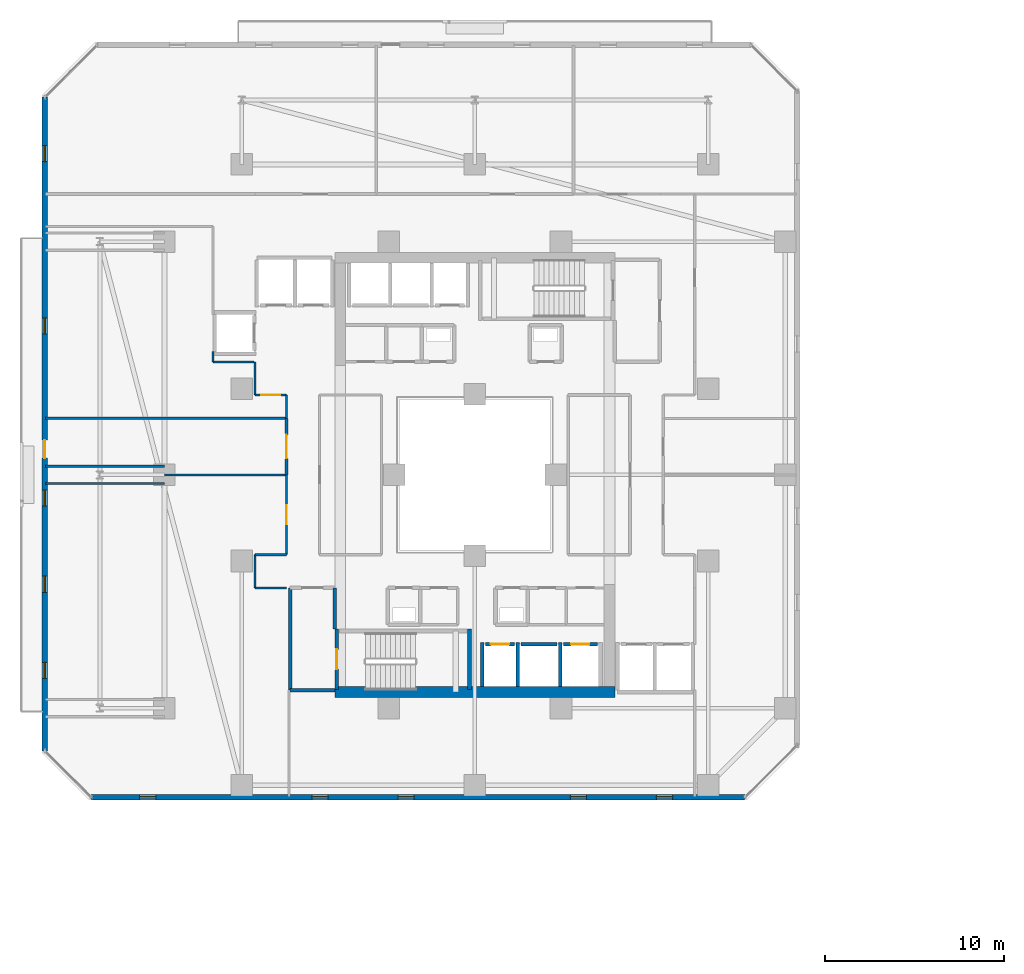
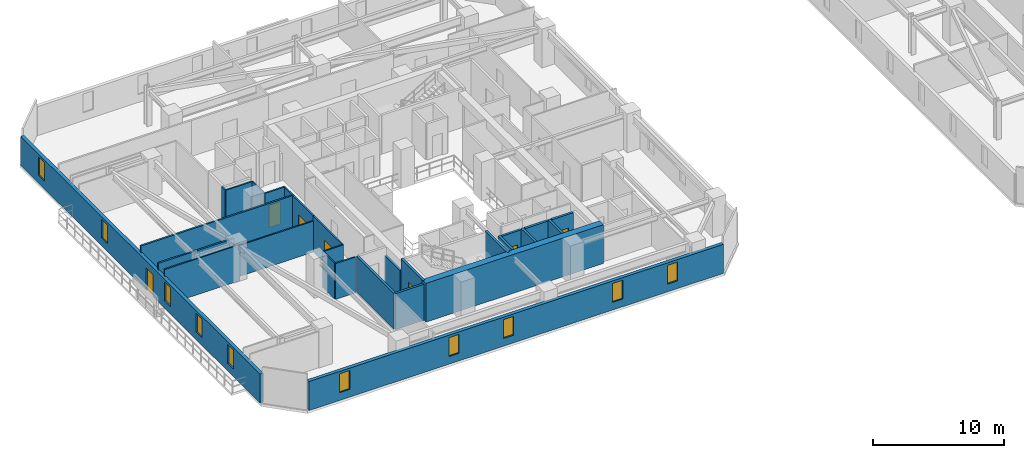
# One storey, part 19 of 33: 28 walls, 10 windows, 7 doors, 17 openings.
"""IFC4 building model written with IfcOpenShell, lengths in metres."""

import ifcopenshell
import ifcopenshell.guid

model = None  # the IFC model being written
_history = None  # IfcOwnerHistory: only IFC2X3 demands one
_inside = {}  # id of a spatial element -> (the spatial element, [elements in it])
_under = {}  # id of a project, library or spatial element -> (it, [spatial elements below it])
_declared = {}  # id of a project -> (the project, [libraries it declares])
_typed = {}  # id of a type object -> (the type object, [elements of that type])
_made_of = {}  # id of a material, layer set ... -> (it, [elements and type objects made of it])


def new_model(schema):
    """Start an empty IFC model of exactly this schema.

    Asked for "IFC4X3", IfcOpenShell would pick the latest addendum, in which some entities
    have other attributes; the version numbers below select the first issue.
    IFC2X3 requires an IfcOwnerHistory on every rooted entity: one is made here for all.
    """
    global model, _history
    if schema == "IFC4X3":
        model = ifcopenshell.file(schema_version=(4, 3, 0, 0))
    else:
        model = ifcopenshell.file(schema=schema)
    _inside.clear()
    _under.clear()
    _declared.clear()
    _typed.clear()
    _made_of.clear()
    _history = None
    if model.schema == "IFC2X3":
        org = make("IfcOrganization", Name="unknown")
        user = make(
            "IfcPersonAndOrganization",
            ThePerson=make("IfcPerson", FamilyName="unknown"),
            TheOrganization=org,
        )
        app = make(
            "IfcApplication",
            ApplicationDeveloper=org,
            Version="unknown",
            ApplicationFullName="unknown",
            ApplicationIdentifier="unknown",
        )
        _history = make(
            "IfcOwnerHistory",
            OwningUser=user,
            OwningApplication=app,
            ChangeAction="ADDED",
            CreationDate=0,
        )
    return model


def make(cls, **values):
    """One entity of the class cls with the attributes given. An attribute that is None is left unset."""
    return model.create_entity(
        cls, **{name: value for name, value in values.items() if value is not None}
    )


def rooted(cls, **values):
    """An entity with a GlobalId (a new one), such as an element, a storey or a relation."""
    return make(cls, GlobalId=ifcopenshell.guid.new(), OwnerHistory=_history, **values)


def si_unit(unit_type, name, prefix=None):
    """IfcSIUnit, for example si_unit("LENGTHUNIT", "METRE", prefix="MILLI")."""
    return make("IfcSIUnit", UnitType=unit_type, Prefix=prefix, Name=name)


def assignment(units):
    """IfcUnitAssignment: the units of a project."""
    return None if units is None else make("IfcUnitAssignment", Units=units)


def point(xyz):
    """IfcCartesianPoint."""
    return None if xyz is None else make("IfcCartesianPoint", Coordinates=xyz)


def direction(xyz):
    """IfcDirection."""
    return None if xyz is None else make("IfcDirection", DirectionRatios=xyz)


def frame(location, z_axis=None, x_axis=None):
    """IfcAxis2Placement3D, a coordinate frame: its origin and axes. An axis left out is left unset."""
    return make(
        "IfcAxis2Placement3D",
        Location=point(location),
        Axis=direction(z_axis),
        RefDirection=direction(x_axis),
    )


def frame_2d(location, x_axis=None):
    """IfcAxis2Placement2D, a coordinate frame in the plane: its origin and x axis."""
    return make(
        "IfcAxis2Placement2D", Location=point(location), RefDirection=direction(x_axis)
    )


def origin():
    """The frame at (0, 0, 0) with its axes left unset."""
    return frame((0.0, 0.0, 0.0))


def place(relative_to, where):
    """IfcLocalPlacement: puts the frame where relative to a parent placement (None: the world)."""
    return make(
        "IfcLocalPlacement", PlacementRelTo=relative_to, RelativePlacement=where
    )


def context(
    kind, dimensions, precision=None, world=None, true_north=None, identifier=None
):
    """IfcGeometricRepresentationContext, for example the 3D "Model" context."""
    return make(
        "IfcGeometricRepresentationContext",
        ContextIdentifier=identifier,
        ContextType=kind,
        CoordinateSpaceDimension=dimensions,
        Precision=precision,
        WorldCoordinateSystem=world,
        TrueNorth=true_north,
    )


def subcontext(parent, identifier, kind, view, scale=None):
    """IfcGeometricRepresentationSubContext, for example "Body" below "Model"."""
    return make(
        "IfcGeometricRepresentationSubContext",
        ContextIdentifier=identifier,
        ContextType=kind,
        ParentContext=parent,
        TargetScale=scale,
        TargetView=view,
    )


def project(units=None, contexts=None):
    """IfcProject with its units and contexts."""
    return rooted(
        "IfcProject",
        Name="project",
        RepresentationContexts=contexts,
        UnitsInContext=assignment(units),
    )


def spatial(cls, under=None, at=None, **own):
    """A site, building, storey or space (cls), placed at a placement, below another one or the project."""
    s = rooted(cls, ObjectPlacement=at, **own)
    if under is not None:
        _under.setdefault(under.id(), (under, []))[1].append(s)
    return s


def profile(cls, at=None, kind="AREA", **sizes):
    """A parametric profile (cls). Its sizes go by their IFC names, for example OverallWidth=200.0."""
    return make(cls, ProfileType=kind, Position=at, **sizes)


def rectangle(**sizes):
    """IfcRectangleProfileDef."""
    return profile("IfcRectangleProfileDef", **sizes)


def extrude(swept, where, along, depth):
    """IfcExtrudedAreaSolid: the profile swept, set in the frame where, extruded along a direction by depth."""
    return make(
        "IfcExtrudedAreaSolid",
        SweptArea=swept,
        Position=where,
        ExtrudedDirection=direction(along),
        Depth=depth,
    )


def shape(context_of_items, identifier, shape_type, items):
    """IfcShapeRepresentation: the items that make up one representation, for example the "Body"."""
    return make(
        "IfcShapeRepresentation",
        ContextOfItems=context_of_items,
        RepresentationIdentifier=identifier,
        RepresentationType=shape_type,
        Items=items,
    )


def material(Name=None, Category=None):
    """IfcMaterial."""
    return make("IfcMaterial", Name=Name, Category=Category)


def layer(
    of_material, thickness, ventilated=None, Name=None, Category=None, Priority=None
):
    """IfcMaterialLayer: one layer of a wall or slab, of a material (None: an air gap)."""
    return make(
        "IfcMaterialLayer",
        Material=of_material,
        LayerThickness=thickness,
        IsVentilated=ventilated,
        Name=Name,
        Category=Category,
        Priority=Priority,
    )


def layer_set(layers, Name=None):
    """IfcMaterialLayerSet."""
    return make("IfcMaterialLayerSet", MaterialLayers=layers, LayerSetName=Name)


def made_of(thing, what):
    """Note that an element or type object is made of a material, layer set ...; save() writes the relation."""
    if what is not None:
        _made_of.setdefault(what.id(), (what, []))[1].append(thing)
    return thing


def type_object(cls, material=None, **own):
    """A type object (cls), such as IfcWallType, which elements share."""
    return made_of(rooted(cls, **own), material)


def element(
    cls,
    number,
    at=None,
    inside=None,
    cuts=None,
    type_object=None,
    material=None,
    context=None,
    identifier="Body",
    shape_type=None,
    held_by="IfcProductDefinitionShape",
    body=None,
    shapes=None,
    **own,
):
    """One element of the class cls, such as IfcWall. Its Tag is "e" and its number.

    at: its placement. inside: the storey or other place that contains it. cuts: it is an
    opening in that element (IfcRelVoidsElement). A single representation is given by context,
    identifier, shape_type and body (its items); several are given by shapes. held_by: the class
    of the entity that holds the representations. save() writes the other relations.
    """
    e = rooted(cls, Tag="e%d" % number, ObjectPlacement=at, **own)
    if body is not None:
        shapes = [shape(context, identifier, shape_type, body)]
    if shapes is not None:
        e.Representation = make(held_by, Representations=shapes)
    if inside is not None:
        _inside.setdefault(inside.id(), (inside, []))[1].append(e)
    if cuts is not None:
        rooted(
            "IfcRelVoidsElement", RelatingBuildingElement=cuts, RelatedOpeningElement=e
        )
    if type_object is not None:
        _typed.setdefault(type_object.id(), (type_object, []))[1].append(e)
    return made_of(e, material)


def fill(opening, filler):
    """IfcRelFillsElement: the door or window that sits in an opening."""
    return rooted(
        "IfcRelFillsElement",
        RelatingOpeningElement=opening,
        RelatedBuildingElement=filler,
    )


def aggregate(whole, parts):
    """IfcRelAggregates: a whole, such as a stair, and the parts it consists of."""
    return rooted("IfcRelAggregates", RelatingObject=whole, RelatedObjects=parts)


def save(model, path):
    """Write the relations noted so far, then the file.

    IfcRelAggregates (storeys below a building ...), IfcRelContainedInSpatialStructure (elements
    in a storey), IfcRelDefinesByType, IfcRelAssociatesMaterial and IfcRelDeclares: one each for
    every whole, place, type object, material and project.
    """
    for whole, parts in _under.values():
        aggregate(whole, parts)
    for where, things in _inside.values():
        rooted(
            "IfcRelContainedInSpatialStructure",
            RelatedElements=things,
            RelatingStructure=where,
        )
    for kind, things in _typed.values():
        rooted("IfcRelDefinesByType", RelatedObjects=things, RelatingType=kind)
    for what, things in _made_of.values():
        rooted("IfcRelAssociatesMaterial", RelatedObjects=things, RelatingMaterial=what)
    for by, libraries in _declared.values():
        rooted("IfcRelDeclares", RelatingContext=by, RelatedDefinitions=libraries)
    model.write(path)


model = new_model("IFC4")

# Units and contexts
model_context = context("Model", 3, precision=1e-05, world=origin(), true_north=direction((0.0, 1.0)))
body_context = subcontext(model_context, "Body", "Model", "MODEL_VIEW")
ifc_project = project(units=[si_unit("LENGTHUNIT", "METRE"), si_unit("AREAUNIT", "SQUARE_METRE"), si_unit("VOLUMEUNIT", "CUBIC_METRE"), si_unit("PLANEANGLEUNIT", "RADIAN"), si_unit("MASSUNIT", "GRAM", prefix="KILO")], contexts=[model_context])

# Site, building, storey
site_placement = place(None, origin())
site = spatial("IfcSite", under=ifc_project, at=site_placement, CompositionType="ELEMENT")
building_placement = place(site_placement, origin())
building = spatial("IfcBuilding", under=site, at=building_placement, Name="Thornwick Lancets Civic Towers", CompositionType="ELEMENT")
storey_placement = place(building_placement, frame((0.0, 0.0, 112.5)))
storey = spatial("IfcBuildingStorey", under=building, at=storey_placement, Name="L29", CompositionType="ELEMENT", Elevation=112.5)

# Wall, opening, door
ifc_material_1 = material(Name="Concrete blockwork C40/50", Category="masonry")
ifc_layer_1 = layer(ifc_material_1, 0.199951171875, Name="Concrete blockwork C40/50")
ifc_layer_set_1 = layer_set([ifc_layer_1], Name="Concrete blockwork C40/50")
wall_type_1 = type_object("IfcWallType", Name="WALL_COMP_200", PredefinedType="STANDARD", material=ifc_layer_set_1)
wall_1_placement = place(storey_placement, frame((26.080078125, 17.550048828125, 0.0), z_axis=(0.0, 0.0, 1.0), x_axis=(1.0, 0.0, 0.0)))
wall_1 = element("IfcWall", 1, at=wall_1_placement, inside=storey, type_object=wall_type_1, Name="L29 Hoistway Front Wall FL-A1", PredefinedType="STANDARD", context=body_context, shape_type="SweptSolid", body=[
    extrude(rectangle(XDim=1.639892578125, YDim=0.199951171875, at=frame_2d((0.81982421875, 0.0))), origin(), (0.0, 0.0, 1.0), 3.340087890625),
])
opening_1_placement = place(wall_1_placement, frame((0.31005859375, 0.0, 0.0)))
opening_1 = element("IfcOpeningElement", 2, at=opening_1_placement, cuts=wall_1, Name="Opening LD-FL-A1", PredefinedType="OPENING", context=body_context, shape_type="SweptSolid", body=[
    extrude(rectangle(XDim=1.02001953125, YDim=2.06005859375, at=frame_2d((0.510009765625, 1.030029296875))), frame((0.0, 0.10986328125, 0.0), z_axis=(0.0, -1.0, 0.0), x_axis=(1.0, 0.0, 0.0)), (0.0, 0.0, 1.0), 0.219970703125),
])
ifc_material_2 = material(Name="Brushed bronze stainless steel", Category="steel")
door_type_1 = type_object("IfcDoorType", Name="DOOR_LIFT_SLIDE", OperationType="SLIDING_TO_LEFT", PredefinedType="DOOR", material=ifc_material_2)
door_1_placement = place(opening_1_placement, origin())
door_1 = element("IfcDoor", 3, at=door_1_placement, inside=storey, type_object=door_type_1, Name="L29 Sliding Lift Landing Door LD-FL-A1", OperationType="SLIDING_TO_LEFT", OverallHeight=2.06005859375, OverallWidth=1.02001953125, PredefinedType="DOOR", context=body_context, shape_type="SweptSolid", body=[
    extrude(rectangle(XDim=1.02001953125, YDim=2.06005859375, at=frame_2d((0.510009765625, 1.030029296875))), frame((0.0, 0.02490234375, 0.0), z_axis=(0.0, -1.0, 0.0), x_axis=(1.0, 0.0, 0.0)), (0.0, 0.0, 1.0), 0.050048828125),
])
fill(opening_1, door_1)

# Wall
wall_2_placement = place(storey_placement, frame((28.080078125, 17.550048828125, 0.0), z_axis=(0.0, 0.0, 1.0), x_axis=(1.0, 0.0, 0.0)))
element("IfcWall", 4, at=wall_2_placement, inside=storey, type_object=wall_type_1, Name="L29 Hoistway Front Wall PL-AH1", PredefinedType="STANDARD", context=body_context, shape_type="SweptSolid", body=[
    extrude(rectangle(XDim=1.989990234375, YDim=0.199951171875, at=frame_2d((0.9951171875, 0.0))), origin(), (0.0, 0.0, 1.0), 3.340087890625),
])

# Wall, opening, door
wall_3_placement = place(storey_placement, frame((30.429931640625, 17.550048828125, 0.0), z_axis=(0.0, 0.0, 1.0), x_axis=(1.0, 0.0, 0.0)))
wall_3 = element("IfcWall", 5, at=wall_3_placement, inside=storey, type_object=wall_type_1, Name="L29 Hoistway Front Wall PL-AL1", PredefinedType="STANDARD", context=body_context, shape_type="SweptSolid", body=[
    extrude(rectangle(XDim=1.89013671875, YDim=0.199951171875, at=frame_2d((0.945068359375, 0.0))), origin(), (0.0, 0.0, 1.0), 3.340087890625),
])
opening_2_placement = place(wall_3_placement, frame((0.43505859375, 0.0, 0.0)))
opening_2 = element("IfcOpeningElement", 6, at=opening_2_placement, cuts=wall_3, Name="Opening LD-PL-AL1", PredefinedType="OPENING", context=body_context, shape_type="SweptSolid", body=[
    extrude(rectangle(XDim=1.02001953125, YDim=2.06005859375, at=frame_2d((0.510009765625, 1.030029296875))), frame((0.0, 0.10986328125, 0.0), z_axis=(0.0, -1.0, 0.0), x_axis=(1.0, 0.0, 0.0)), (0.0, 0.0, 1.0), 0.219970703125),
])
door_2_placement = place(opening_2_placement, origin())
door_2 = element("IfcDoor", 7, at=door_2_placement, inside=storey, type_object=door_type_1, Name="L29 Sliding Lift Landing Door LD-PL-AL1", OperationType="SLIDING_TO_LEFT", OverallHeight=2.06005859375, OverallWidth=1.02001953125, PredefinedType="DOOR", context=body_context, shape_type="SweptSolid", body=[
    extrude(rectangle(XDim=1.02001953125, YDim=2.06005859375, at=frame_2d((0.510009765625, 1.030029296875))), frame((0.0, 0.02490234375, 0.0), z_axis=(0.0, -1.0, 0.0), x_axis=(1.0, 0.0, 0.0)), (0.0, 0.0, 1.0), 0.050048828125),
])
fill(opening_2, door_2)

# Walls
for number, where, z_axis, x_axis, name in (
    (8, (27.89990234375, 15.2119140625, 0.0), (0.0, 0.0, 1.0), (0.0, 1.0, 0.0), "L29 Hoistway Shaft Wall FL-A1 E"),
    (9, (25.89990234375, 15.2119140625, 0.0), (0.0, 0.0, 1.0), (0.0, 1.0, 0.0), "L29 Hoistway Shaft Wall FL-A1 W"),
    (10, (30.25, 15.2119140625, 0.0), (0.0, 0.0, 1.0), (0.0, 1.0, 0.0), "L29 Hoistway Shaft Wall PL-AH1 E"),
):
    element("IfcWall", number, at=place(storey_placement, frame(where, z_axis=z_axis, x_axis=x_axis)), inside=storey, type_object=wall_type_1, Name=name, PredefinedType="STANDARD", context=body_context, shape_type="SweptSolid", body=[
        extrude(rectangle(XDim=2.43603515625, YDim=0.199951171875, at=frame_2d((1.218017578125, 0.0))), origin(), (0.0, 0.0, 1.0), 3.340087890625),
    ])
wall_4_placement = place(storey_placement, frame((15.199951171875, 15.0, 0.0), z_axis=(0.0, 0.0, 1.0), x_axis=(1.0, 0.0, 0.0)))
element("IfcWall", 11, at=wall_4_placement, inside=storey, type_object=wall_type_1, Name="L29 Partition L29-A-FFLOB1 E1", PredefinedType="STANDARD", context=body_context, shape_type="SweptSolid", body=[
    extrude(rectangle(XDim=2.5, YDim=0.199951171875, at=frame_2d((1.25, 0.0))), origin(), (0.0, 0.0, 1.0), 3.340087890625),
])
wall_5_placement = place(storey_placement, frame((17.699951171875, 18.39990234375, 0.0), z_axis=(0.0, 0.0, 1.0), x_axis=(0.0, 1.0, 0.0)))
element("IfcWall", 12, at=wall_5_placement, inside=storey, type_object=wall_type_1, Name="L29 Partition L29-A-FFLOB1 E2", PredefinedType="STANDARD", context=body_context, shape_type="SweptSolid", body=[
    extrude(rectangle(XDim=2.300048828125, YDim=0.199951171875, at=frame_2d((1.14990234375, 0.0))), origin(), (0.0, 0.0, 1.0), 2.544921875),
])
wall_6_placement = place(storey_placement, frame((15.199951171875, 20.699951171875, 0.0), z_axis=(0.0, 0.0, 1.0), x_axis=(0.0, -1.0, 0.0)))
element("IfcWall", 13, at=wall_6_placement, inside=storey, type_object=wall_type_1, Name="L29 Partition L29-A-FFLOB1 E4", PredefinedType="STANDARD", context=body_context, shape_type="SweptSolid", body=[
    extrude(rectangle(XDim=5.699951171875, YDim=0.199951171875, at=frame_2d((2.85009765625, 0.0))), origin(), (0.0, 0.0, 1.0), 3.340087890625),
])
ifc_material_3 = material(Name="Concrete C60/75", Category="concrete")
ifc_layer_2 = layer(ifc_material_3, 0.60009765625, Name="Concrete C60/75")
ifc_layer_set_2 = layer_set([ifc_layer_2], Name="Concrete C60/75")
wall_type_2 = type_object("IfcWallType", Name="WALL_CORE_600", PredefinedType="SHEAR", material=ifc_layer_set_2)
wall_7_placement = place(storey_placement, frame((17.699951171875, 14.89990234375, 0.0), z_axis=(0.0, 0.0, 1.0), x_axis=(1.0, 0.0, 0.0)))
element("IfcWall", 14, at=wall_7_placement, inside=storey, type_object=wall_type_2, Name="L29 Split Core A1 Shear Wall S", PredefinedType="SHEAR", context=body_context, shape_type="SweptSolid", body=[
    extrude(rectangle(XDim=15.60009765625, YDim=0.60009765625, at=frame_2d((7.800048828125, 0.0))), origin(), (0.0, 0.0, 1.0), 3.60009765625),
])

# Wall, openings, windows
ifc_material_4 = material(Name="Insulated russet terracotta rainscreen on concrete C40/50", Category="masonry")
ifc_layer_3 = layer(ifc_material_4, 0.300048828125, Name="Insulated russet terracotta rainscreen on concrete C40/50")
ifc_layer_set_3 = layer_set([ifc_layer_3], Name="Insulated russet terracotta rainscreen on concrete C40/50")
wall_type_3 = type_object("IfcWallType", Name="WALL_EXT_RUSSET_300", PredefinedType="STANDARD", material=ifc_layer_set_3)
wall_8_placement = place(storey_placement, frame((4.11865234375, 9.035400390625, 0.0), z_axis=(0.0, 0.0, 1.0), x_axis=(0.999999999641, 2.6801568e-05, 0.0)))
wall_8 = element("IfcWall", 15, at=wall_8_placement, inside=storey, type_object=wall_type_3, Name="L29 Tower A Terracotta Facade Wall E0", PredefinedType="STANDARD", context=body_context, shape_type="SweptSolid", body=[
    extrude(rectangle(XDim=36.436767578125, YDim=0.300048828125, at=frame_2d((18.21826171875, 0.0))), origin(), (0.0, 0.0, 1.0), 2.699951171875),
])
opening_3_placement = place(wall_8_placement, frame((2.699951171875, 0.0, 0.719970703125)))
opening_3 = element("IfcOpeningElement", 16, at=opening_3_placement, cuts=wall_8, Name="Opening WL-01", PredefinedType="OPENING", context=body_context, shape_type="SweptSolid", body=[
    extrude(rectangle(XDim=0.89990234375, YDim=1.75, at=frame_2d((0.449951171875, 0.875))), frame((0.0, 0.16015625, 0.0), z_axis=(0.0, -1.0, 0.0), x_axis=(1.0, 0.0, 0.0)), (0.0, 0.0, 1.0), 0.320068359375),
])
opening_4_placement = place(wall_8_placement, frame((12.300048828125, 0.0, 0.719970703125)))
opening_4 = element("IfcOpeningElement", 17, at=opening_4_placement, cuts=wall_8, Name="Opening WL-01", PredefinedType="OPENING", context=body_context, shape_type="SweptSolid", body=[
    extrude(rectangle(XDim=0.89990234375, YDim=1.75, at=frame_2d((0.449951171875, 0.875))), frame((0.0, 0.16015625, 0.0), z_axis=(0.0, -1.0, 0.0), x_axis=(1.0, 0.0, 0.0)), (0.0, 0.0, 1.0), 0.320068359375),
])
opening_5_placement = place(wall_8_placement, frame((17.10009765625, 0.0, 0.719970703125)))
opening_5 = element("IfcOpeningElement", 18, at=opening_5_placement, cuts=wall_8, Name="Opening WL-01", PredefinedType="OPENING", context=body_context, shape_type="SweptSolid", body=[
    extrude(rectangle(XDim=0.89990234375, YDim=1.75, at=frame_2d((0.449951171875, 0.875))), frame((0.0, 0.16015625, 0.0), z_axis=(0.0, -1.0, 0.0), x_axis=(1.0, 0.0, 0.0)), (0.0, 0.0, 1.0), 0.320068359375),
])
opening_6_placement = place(wall_8_placement, frame((26.699951171875, 0.0, 0.719970703125)))
opening_6 = element("IfcOpeningElement", 19, at=opening_6_placement, cuts=wall_8, Name="Opening WL-01", PredefinedType="OPENING", context=body_context, shape_type="SweptSolid", body=[
    extrude(rectangle(XDim=0.89990234375, YDim=1.75, at=frame_2d((0.449951171875, 0.875))), frame((0.0, 0.16015625, 0.0), z_axis=(0.0, -1.0, 0.0), x_axis=(1.0, 0.0, 0.0)), (0.0, 0.0, 1.0), 0.320068359375),
])
opening_7_placement = place(wall_8_placement, frame((31.5, 0.0, 0.719970703125)))
opening_7 = element("IfcOpeningElement", 20, at=opening_7_placement, cuts=wall_8, Name="Opening WL-01", PredefinedType="OPENING", context=body_context, shape_type="SweptSolid", body=[
    extrude(rectangle(XDim=0.89990234375, YDim=1.75, at=frame_2d((0.449951171875, 0.875))), frame((0.0, 0.16015625, 0.0), z_axis=(0.0, -1.0, 0.0), x_axis=(1.0, 0.0, 0.0)), (0.0, 0.0, 1.0), 0.320068359375),
])
ifc_material_5 = material(Name="Clear low-e double glazing in bronze frame", Category="glass")
window_type = type_object("IfcWindowType", Name="WIN_LANCET_900", PartitioningType="SINGLE_PANEL", PredefinedType="WINDOW", material=ifc_material_5)
window_1_placement = place(opening_3_placement, origin())
window_1 = element("IfcWindow", 21, at=window_1_placement, inside=storey, type_object=window_type, Name="L29 Tower A Staggered Lancet Window E0-1", OverallHeight=1.75, OverallWidth=0.89990234375, PartitioningType="SINGLE_PANEL", PredefinedType="WINDOW", context=body_context, shape_type="SweptSolid", body=[
    extrude(rectangle(XDim=0.89990234375, YDim=1.75, at=frame_2d((0.449951171875, 0.875))), frame((0.0, 0.030029296875, 0.0), z_axis=(0.0, -1.0, 0.0), x_axis=(1.0, 0.0, 0.0)), (0.0, 0.0, 1.0), 0.06005859375),
])
fill(opening_3, window_1)
window_2_placement = place(opening_4_placement, origin())
window_2 = element("IfcWindow", 22, at=window_2_placement, inside=storey, type_object=window_type, Name="L29 Tower A Staggered Lancet Window E0-2", OverallHeight=1.75, OverallWidth=0.89990234375, PartitioningType="SINGLE_PANEL", PredefinedType="WINDOW", context=body_context, shape_type="SweptSolid", body=[
    extrude(rectangle(XDim=0.89990234375, YDim=1.75, at=frame_2d((0.449951171875, 0.875))), frame((0.0, 0.030029296875, 0.0), z_axis=(0.0, -1.0, 0.0), x_axis=(1.0, 0.0, 0.0)), (0.0, 0.0, 1.0), 0.06005859375),
])
fill(opening_4, window_2)
window_3_placement = place(opening_5_placement, origin())
window_3 = element("IfcWindow", 23, at=window_3_placement, inside=storey, type_object=window_type, Name="L29 Tower A Staggered Lancet Window E0-3", OverallHeight=1.75, OverallWidth=0.89990234375, PartitioningType="SINGLE_PANEL", PredefinedType="WINDOW", context=body_context, shape_type="SweptSolid", body=[
    extrude(rectangle(XDim=0.89990234375, YDim=1.75, at=frame_2d((0.449951171875, 0.875))), frame((0.0, 0.030029296875, 0.0), z_axis=(0.0, -1.0, 0.0), x_axis=(1.0, 0.0, 0.0)), (0.0, 0.0, 1.0), 0.06005859375),
])
fill(opening_5, window_3)
window_4_placement = place(opening_6_placement, origin())
window_4 = element("IfcWindow", 24, at=window_4_placement, inside=storey, type_object=window_type, Name="L29 Tower A Staggered Lancet Window E0-4", OverallHeight=1.75, OverallWidth=0.89990234375, PartitioningType="SINGLE_PANEL", PredefinedType="WINDOW", context=body_context, shape_type="SweptSolid", body=[
    extrude(rectangle(XDim=0.89990234375, YDim=1.75, at=frame_2d((0.449951171875, 0.875))), frame((0.0, 0.030029296875, 0.0), z_axis=(0.0, -1.0, 0.0), x_axis=(1.0, 0.0, 0.0)), (0.0, 0.0, 1.0), 0.06005859375),
])
fill(opening_6, window_4)
window_5_placement = place(opening_7_placement, origin())
window_5 = element("IfcWindow", 25, at=window_5_placement, inside=storey, type_object=window_type, Name="L29 Tower A Staggered Lancet Window E0-5", OverallHeight=1.75, OverallWidth=0.89990234375, PartitioningType="SINGLE_PANEL", PredefinedType="WINDOW", context=body_context, shape_type="SweptSolid", body=[
    extrude(rectangle(XDim=0.89990234375, YDim=1.75, at=frame_2d((0.449951171875, 0.875))), frame((0.0, 0.030029296875, 0.0), z_axis=(0.0, -1.0, 0.0), x_axis=(1.0, 0.0, 0.0)), (0.0, 0.0, 1.0), 0.06005859375),
])
fill(opening_7, window_5)

# Wall, openings, door, windows
wall_9_placement = place(storey_placement, frame((1.536376953125, 48.055419921875, 0.0), z_axis=(0.0, 0.0, 1.0), x_axis=(-2.6801568e-05, -0.999999999641, 0.0)))
wall_9 = element("IfcWall", 26, at=wall_9_placement, inside=storey, type_object=wall_type_3, Name="L29 Tower A Terracotta Facade Wall E6", PredefinedType="STANDARD", context=body_context, shape_type="SweptSolid", body=[
    extrude(rectangle(XDim=36.436767578125, YDim=0.300048828125, at=frame_2d((18.21826171875, 0.0))), origin(), (0.0, 0.0, 1.0), 2.699951171875),
])
opening_8_placement = place(wall_9_placement, frame((19.118408203125, 0.0, 0.0)))
opening_8 = element("IfcOpeningElement", 27, at=opening_8_placement, cuts=wall_9, Name="Opening D-BL-L29-AW", PredefinedType="OPENING", context=body_context, shape_type="SweptSolid", body=[
    extrude(rectangle(XDim=1.0, YDim=2.080078125, at=frame_2d((0.5, 1.0400390625))), frame((0.0, 0.16015625, 0.0), z_axis=(0.0, -1.0, 0.0), x_axis=(1.0, 0.0, 0.0)), (0.0, 0.0, 1.0), 0.320068359375),
])
opening_9_placement = place(wall_9_placement, frame((2.699951171875, 0.0, 0.719970703125)))
opening_9 = element("IfcOpeningElement", 28, at=opening_9_placement, cuts=wall_9, Name="Opening WL-01", PredefinedType="OPENING", context=body_context, shape_type="SweptSolid", body=[
    extrude(rectangle(XDim=0.89990234375, YDim=1.75, at=frame_2d((0.449951171875, 0.875))), frame((0.0, 0.16015625, 0.0), z_axis=(0.0, -1.0, 0.0), x_axis=(1.0, 0.0, 0.0)), (0.0, 0.0, 1.0), 0.320068359375),
])
opening_10_placement = place(wall_9_placement, frame((12.300048828125, 0.0, 0.719970703125)))
opening_10 = element("IfcOpeningElement", 29, at=opening_10_placement, cuts=wall_9, Name="Opening WL-01", PredefinedType="OPENING", context=body_context, shape_type="SweptSolid", body=[
    extrude(rectangle(XDim=0.89990234375, YDim=1.75, at=frame_2d((0.449951171875, 0.875))), frame((0.0, 0.16015625, 0.0), z_axis=(0.0, -1.0, 0.0), x_axis=(1.0, 0.0, 0.0)), (0.0, 0.0, 1.0), 0.320068359375),
])
opening_11_placement = place(wall_9_placement, frame((21.89990234375, 0.0, 0.719970703125)))
opening_11 = element("IfcOpeningElement", 30, at=opening_11_placement, cuts=wall_9, Name="Opening WL-01", PredefinedType="OPENING", context=body_context, shape_type="SweptSolid", body=[
    extrude(rectangle(XDim=0.89990234375, YDim=1.75, at=frame_2d((0.449951171875, 0.875))), frame((0.0, 0.16015625, 0.0), z_axis=(0.0, -1.0, 0.0), x_axis=(1.0, 0.0, 0.0)), (0.0, 0.0, 1.0), 0.320068359375),
])
opening_12_placement = place(wall_9_placement, frame((26.699951171875, 0.0, 0.719970703125)))
opening_12 = element("IfcOpeningElement", 31, at=opening_12_placement, cuts=wall_9, Name="Opening WL-01", PredefinedType="OPENING", context=body_context, shape_type="SweptSolid", body=[
    extrude(rectangle(XDim=0.89990234375, YDim=1.75, at=frame_2d((0.449951171875, 0.875))), frame((0.0, 0.16015625, 0.0), z_axis=(0.0, -1.0, 0.0), x_axis=(1.0, 0.0, 0.0)), (0.0, 0.0, 1.0), 0.320068359375),
])
opening_13_placement = place(wall_9_placement, frame((31.5, 0.0, 0.719970703125)))
opening_13 = element("IfcOpeningElement", 32, at=opening_13_placement, cuts=wall_9, Name="Opening WL-01", PredefinedType="OPENING", context=body_context, shape_type="SweptSolid", body=[
    extrude(rectangle(XDim=0.89990234375, YDim=1.75, at=frame_2d((0.449951171875, 0.875))), frame((0.0, 0.16015625, 0.0), z_axis=(0.0, -1.0, 0.0), x_axis=(1.0, 0.0, 0.0)), (0.0, 0.0, 1.0), 0.320068359375),
])
ifc_material_6 = material(Name="Thermally broken glazed loggia doorset")
door_type_2 = type_object("IfcDoorType", Name="DOOR_BALC_1000", OperationType="NOTDEFINED", PredefinedType="DOOR", material=ifc_material_6)
door_3_placement = place(opening_8_placement, origin())
door_3 = element("IfcDoor", 33, at=door_3_placement, inside=storey, type_object=door_type_2, Name="L29 Tower A Loggia Balcony Door W", OperationType="SINGLE_SWING_RIGHT", OverallHeight=2.080078125, OverallWidth=1.0, PredefinedType="DOOR", context=body_context, shape_type="SweptSolid", body=[
    extrude(rectangle(XDim=1.0, YDim=2.080078125, at=frame_2d((0.5, 1.0400390625))), frame((0.0, 0.02490234375, 0.0), z_axis=(0.0, -1.0, 0.0), x_axis=(1.0, 0.0, 0.0)), (0.0, 0.0, 1.0), 0.050048828125),
])
fill(opening_8, door_3)
window_6_placement = place(opening_9_placement, origin())
window_6 = element("IfcWindow", 34, at=window_6_placement, inside=storey, type_object=window_type, Name="L29 Tower A Staggered Lancet Window E6-1", OverallHeight=1.75, OverallWidth=0.89990234375, PartitioningType="SINGLE_PANEL", PredefinedType="WINDOW", context=body_context, shape_type="SweptSolid", body=[
    extrude(rectangle(XDim=0.89990234375, YDim=1.75, at=frame_2d((0.449951171875, 0.875))), frame((0.0, 0.030029296875, 0.0), z_axis=(0.0, -1.0, 0.0), x_axis=(1.0, 0.0, 0.0)), (0.0, 0.0, 1.0), 0.06005859375),
])
fill(opening_9, window_6)
window_7_placement = place(opening_10_placement, origin())
window_7 = element("IfcWindow", 35, at=window_7_placement, inside=storey, type_object=window_type, Name="L29 Tower A Staggered Lancet Window E6-2", OverallHeight=1.75, OverallWidth=0.89990234375, PartitioningType="SINGLE_PANEL", PredefinedType="WINDOW", context=body_context, shape_type="SweptSolid", body=[
    extrude(rectangle(XDim=0.89990234375, YDim=1.75, at=frame_2d((0.449951171875, 0.875))), frame((0.0, 0.030029296875, 0.0), z_axis=(0.0, -1.0, 0.0), x_axis=(1.0, 0.0, 0.0)), (0.0, 0.0, 1.0), 0.06005859375),
])
fill(opening_10, window_7)
window_8_placement = place(opening_11_placement, origin())
window_8 = element("IfcWindow", 36, at=window_8_placement, inside=storey, type_object=window_type, Name="L29 Tower A Staggered Lancet Window E6-3", OverallHeight=1.75, OverallWidth=0.89990234375, PartitioningType="SINGLE_PANEL", PredefinedType="WINDOW", context=body_context, shape_type="SweptSolid", body=[
    extrude(rectangle(XDim=0.89990234375, YDim=1.75, at=frame_2d((0.449951171875, 0.875))), frame((0.0, 0.030029296875, 0.0), z_axis=(0.0, -1.0, 0.0), x_axis=(1.0, 0.0, 0.0)), (0.0, 0.0, 1.0), 0.06005859375),
])
fill(opening_11, window_8)
window_9_placement = place(opening_12_placement, origin())
window_9 = element("IfcWindow", 37, at=window_9_placement, inside=storey, type_object=window_type, Name="L29 Tower A Staggered Lancet Window E6-4", OverallHeight=1.75, OverallWidth=0.89990234375, PartitioningType="SINGLE_PANEL", PredefinedType="WINDOW", context=body_context, shape_type="SweptSolid", body=[
    extrude(rectangle(XDim=0.89990234375, YDim=1.75, at=frame_2d((0.449951171875, 0.875))), frame((0.0, 0.030029296875, 0.0), z_axis=(0.0, -1.0, 0.0), x_axis=(1.0, 0.0, 0.0)), (0.0, 0.0, 1.0), 0.06005859375),
])
fill(opening_12, window_9)
window_10_placement = place(opening_13_placement, origin())
window_10 = element("IfcWindow", 38, at=window_10_placement, inside=storey, type_object=window_type, Name="L29 Tower A Staggered Lancet Window E6-5", OverallHeight=1.75, OverallWidth=0.89990234375, PartitioningType="SINGLE_PANEL", PredefinedType="WINDOW", context=body_context, shape_type="SweptSolid", body=[
    extrude(rectangle(XDim=0.89990234375, YDim=1.75, at=frame_2d((0.449951171875, 0.875))), frame((0.0, 0.030029296875, 0.0), z_axis=(0.0, -1.0, 0.0), x_axis=(1.0, 0.0, 0.0)), (0.0, 0.0, 1.0), 0.06005859375),
])
fill(opening_13, window_10)

# Walls
ifc_material_7 = material(Name="Acoustic gypsum board partition")
ifc_layer_4 = layer(ifc_material_7, 0.1201171875, Name="Acoustic gypsum board partition")
ifc_layer_set_4 = layer_set([ifc_layer_4], Name="Acoustic gypsum board partition")
wall_type_4 = type_object("IfcWallType", Name="WALL_PART_120", PredefinedType="PARTITIONING", material=ifc_layer_set_4)
wall_10_placement = place(storey_placement, frame((1.580078125, 26.52001953125, 0.0), z_axis=(0.0, 0.0, 1.0), x_axis=(1.0, 0.0, 0.0)))
element("IfcWall", 39, at=wall_10_placement, inside=storey, type_object=wall_type_4, Name="L29 Partition L29-A-W1 E6", PredefinedType="PARTITIONING", context=body_context, shape_type="SweptSolid", body=[
    extrude(rectangle(XDim=6.619873046875, YDim=0.1201171875, at=frame_2d((3.31005859375, 0.0))), origin(), (0.0, 0.0, 1.0), 3.340087890625),
])
wall_11_placement = place(storey_placement, frame((8.199951171875, 27.0, 0.0), z_axis=(0.0, 0.0, 1.0), x_axis=(1.0, 0.0, 0.0)))
element("IfcWall", 40, at=wall_11_placement, inside=storey, type_object=wall_type_4, Name="L29 Partition L29-A-W1 E8", PredefinedType="PARTITIONING", context=body_context, shape_type="SweptSolid", body=[
    extrude(rectangle(XDim=6.800048828125, YDim=0.1201171875, at=frame_2d((3.39990234375, 0.0))), origin(), (0.0, 0.0, 1.0), 2.881591796875),
])

# Wall, opening, door
wall_12_placement = place(storey_placement, frame((15.0, 27.0, 0.0), z_axis=(0.0, 0.0, 1.0), x_axis=(0.0, -1.0, 0.0)))
wall_12 = element("IfcWall", 41, at=wall_12_placement, inside=storey, type_object=wall_type_4, Name="L29 Partition L29-A-W1 E9", PredefinedType="PARTITIONING", context=body_context, shape_type="SweptSolid", body=[
    extrude(rectangle(XDim=4.449951171875, YDim=0.1201171875, at=frame_2d((2.22509765625, 0.0))), origin(), (0.0, 0.0, 1.0), 3.340087890625),
])
opening_14_placement = place(wall_12_placement, frame((1.699951171875, 0.0, 0.0)))
opening_14 = element("IfcOpeningElement", 42, at=opening_14_placement, cuts=wall_12, Name="Opening D-L29-1343", PredefinedType="OPENING", context=body_context, shape_type="SweptSolid", body=[
    extrude(rectangle(XDim=1.050048828125, YDim=2.10009765625, at=frame_2d((0.52490234375, 1.050048828125))), frame((0.0, 0.070068359375, 0.0), z_axis=(0.0, -1.0, 0.0), x_axis=(1.0, 0.0, 0.0)), (0.0, 0.0, 1.0), 0.14013671875),
])
ifc_material_8 = material(Name="Glazed European oak executive doorset")
door_type_3 = type_object("IfcDoorType", Name="DOOR_OFFICE_1050", OperationType="NOTDEFINED", PredefinedType="DOOR", material=ifc_material_8)
door_4_placement = place(opening_14_placement, origin())
door_4 = element("IfcDoor", 43, at=door_4_placement, inside=storey, type_object=door_type_3, Name="L29 Tower A Ministry Directorate Office W1 Door", OperationType="SINGLE_SWING_RIGHT", OverallHeight=2.10009765625, OverallWidth=1.050048828125, PredefinedType="DOOR", context=body_context, shape_type="SweptSolid", body=[
    extrude(rectangle(XDim=1.050048828125, YDim=2.10009765625, at=frame_2d((0.52490234375, 1.050048828125))), frame((0.0, 0.02490234375, 0.0), z_axis=(0.0, -1.0, 0.0), x_axis=(1.0, 0.0, 0.0)), (0.0, 0.0, 1.0), 0.050048828125),
])
fill(opening_14, door_4)

# Walls
wall_13_placement = place(storey_placement, frame((15.0, 22.550048828125, 0.0), z_axis=(0.0, 0.0, 1.0), x_axis=(-1.0, 0.0, 0.0)))
element("IfcWall", 44, at=wall_13_placement, inside=storey, type_object=wall_type_4, Name="L29 Partition L29-A-W1 E10", PredefinedType="PARTITIONING", context=body_context, shape_type="SweptSolid", body=[
    extrude(rectangle(XDim=1.75, YDim=0.1201171875, at=frame_2d((0.875, 0.0))), origin(), (0.0, 0.0, 1.0), 3.340087890625),
])
wall_14_placement = place(storey_placement, frame((13.25, 22.550048828125, 0.0), z_axis=(0.0, 0.0, 1.0), x_axis=(0.0, -1.0, 0.0)))
element("IfcWall", 45, at=wall_14_placement, inside=storey, type_object=wall_type_4, Name="L29 Partition L29-A-W1 E11", PredefinedType="PARTITIONING", context=body_context, shape_type="SweptSolid", body=[
    extrude(rectangle(XDim=1.85009765625, YDim=0.1201171875, at=frame_2d((0.925048828125, 0.0))), origin(), (0.0, 0.0, 1.0), 3.340087890625),
])
wall_15_placement = place(storey_placement, frame((13.25, 20.699951171875, 0.0), z_axis=(0.0, 0.0, 1.0), x_axis=(1.0, 0.0, 0.0)))
element("IfcWall", 46, at=wall_15_placement, inside=storey, type_object=wall_type_4, Name="L29 Partition L29-A-W1 E12", PredefinedType="PARTITIONING", context=body_context, shape_type="SweptSolid", body=[
    extrude(rectangle(XDim=1.75, YDim=0.1201171875, at=frame_2d((0.875, 0.0))), origin(), (0.0, 0.0, 1.0), 3.340087890625),
])
wall_16_placement = place(storey_placement, frame((10.89990234375, 33.862060546875, 0.0), z_axis=(0.0, 0.0, 1.0), x_axis=(0.0, -1.0, 0.0)))
element("IfcWall", 47, at=wall_16_placement, inside=storey, type_object=wall_type_4, Name="L29 Partition L29-A-W3 E1", PredefinedType="PARTITIONING", context=body_context, shape_type="SweptSolid", body=[
    extrude(rectangle(XDim=0.56201171875, YDim=0.1201171875, at=frame_2d((0.281005859375, 0.0))), origin(), (0.0, 0.0, 1.0), 3.340087890625),
])
wall_17_placement = place(storey_placement, frame((10.89990234375, 33.300048828125, 0.0), z_axis=(0.0, 0.0, 1.0), x_axis=(1.0, 0.0, 0.0)))
element("IfcWall", 48, at=wall_17_placement, inside=storey, type_object=wall_type_4, Name="L29 Partition L29-A-W3 E2", PredefinedType="PARTITIONING", context=body_context, shape_type="SweptSolid", body=[
    extrude(rectangle(XDim=2.300048828125, YDim=0.1201171875, at=frame_2d((1.14990234375, 0.0))), origin(), (0.0, 0.0, 1.0), 3.340087890625),
])
wall_18_placement = place(storey_placement, frame((13.25, 33.300048828125, 0.0), z_axis=(0.0, 0.0, 1.0), x_axis=(0.0, -1.0, 0.0)))
element("IfcWall", 49, at=wall_18_placement, inside=storey, type_object=wall_type_4, Name="L29 Partition L29-A-W3 E4", PredefinedType="PARTITIONING", context=body_context, shape_type="SweptSolid", body=[
    extrude(rectangle(XDim=1.85009765625, YDim=0.1201171875, at=frame_2d((0.925048828125, 0.0))), origin(), (0.0, 0.0, 1.0), 3.340087890625),
])

# Wall, opening, door
wall_19_placement = place(storey_placement, frame((13.25, 31.449951171875, 0.0), z_axis=(0.0, 0.0, 1.0), x_axis=(1.0, 0.0, 0.0)))
wall_19 = element("IfcWall", 50, at=wall_19_placement, inside=storey, type_object=wall_type_4, Name="L29 Partition L29-A-W3 E5", PredefinedType="PARTITIONING", context=body_context, shape_type="SweptSolid", body=[
    extrude(rectangle(XDim=1.75, YDim=0.1201171875, at=frame_2d((0.875, 0.0))), origin(), (0.0, 0.0, 1.0), 3.340087890625),
])
opening_15_placement = place(wall_19_placement, frame((0.35009765625, 0.0, 0.0)))
opening_15 = element("IfcOpeningElement", 51, at=opening_15_placement, cuts=wall_19, Name="Opening D-L29-1345", PredefinedType="OPENING", context=body_context, shape_type="SweptSolid", body=[
    extrude(rectangle(XDim=1.050048828125, YDim=2.10009765625, at=frame_2d((0.52490234375, 1.050048828125))), frame((0.0, 0.070068359375, 0.0), z_axis=(0.0, -1.0, 0.0), x_axis=(1.0, 0.0, 0.0)), (0.0, 0.0, 1.0), 0.14013671875),
])
door_5_placement = place(opening_15_placement, origin())
door_5 = element("IfcDoor", 52, at=door_5_placement, inside=storey, type_object=door_type_3, Name="L29 Tower A Staff Tea Pantry and Lounge Door", OperationType="SINGLE_SWING_RIGHT", OverallHeight=2.10009765625, OverallWidth=1.050048828125, PredefinedType="DOOR", context=body_context, shape_type="SweptSolid", body=[
    extrude(rectangle(XDim=1.050048828125, YDim=2.10009765625, at=frame_2d((0.52490234375, 1.050048828125))), frame((0.0, 0.02490234375, 0.0), z_axis=(0.0, -1.0, 0.0), x_axis=(1.0, 0.0, 0.0)), (0.0, 0.0, 1.0), 0.050048828125),
])
fill(opening_15, door_5)

# Wall
wall_20_placement = place(storey_placement, frame((15.0, 31.449951171875, 0.0), z_axis=(0.0, 0.0, 1.0), x_axis=(0.0, -1.0, 0.0)))
element("IfcWall", 53, at=wall_20_placement, inside=storey, type_object=wall_type_4, Name="L29 Partition L29-A-W3 E6", PredefinedType="PARTITIONING", context=body_context, shape_type="SweptSolid", body=[
    extrude(rectangle(XDim=1.300048828125, YDim=0.1201171875, at=frame_2d((0.64990234375, 0.0))), origin(), (0.0, 0.0, 1.0), 3.340087890625),
])

# Wall, opening, door
ifc_material_9 = material(Name="Twin-stud acoustic gypsum board")
ifc_layer_5 = layer(ifc_material_9, 0.14990234375, Name="Twin-stud acoustic gypsum board")
ifc_layer_set_5 = layer_set([ifc_layer_5], Name="Twin-stud acoustic gypsum board")
wall_type_5 = type_object("IfcWallType", Name="WALL_PART_150", PredefinedType="PARTITIONING", material=ifc_layer_set_5)
wall_21_placement = place(storey_placement, frame((15.0, 30.14990234375, 0.0), z_axis=(0.0, 0.0, 1.0), x_axis=(0.0, -1.0, 0.0)))
wall_21 = element("IfcWall", 54, at=wall_21_placement, inside=storey, type_object=wall_type_5, Name="L29 Partition L29-A-W2 E1", PredefinedType="PARTITIONING", context=body_context, shape_type="SweptSolid", body=[
    extrude(rectangle(XDim=3.14990234375, YDim=0.14990234375, at=frame_2d((1.574951171875, 0.0))), origin(), (0.0, 0.0, 1.0), 3.340087890625),
])
opening_16_placement = place(wall_21_placement, frame((0.925048828125, 0.0, 0.0)))
opening_16 = element("IfcOpeningElement", 55, at=opening_16_placement, cuts=wall_21, Name="Opening D-L29-1344", PredefinedType="OPENING", context=body_context, shape_type="SweptSolid", body=[
    extrude(rectangle(XDim=1.300048828125, YDim=2.1201171875, at=frame_2d((0.64990234375, 1.06005859375))), frame((0.0, 0.0849609375, 0.0), z_axis=(0.0, -1.0, 0.0), x_axis=(1.0, 0.0, 0.0)), (0.0, 0.0, 1.0), 0.169921875),
])
ifc_material_10 = material(Name="Acoustic oak leaf-and-a-half doorset")
door_type_4 = type_object("IfcDoorType", Name="DOOR_MEET_1300", OperationType="DOUBLE_DOOR_SINGLE_SWING", PredefinedType="DOOR", material=ifc_material_10)
door_6_placement = place(opening_16_placement, origin())
door_6 = element("IfcDoor", 56, at=door_6_placement, inside=storey, type_object=door_type_4, Name="L29 Tower A Policy Briefing Room W2 Door", OperationType="DOUBLE_DOOR_SINGLE_SWING", OverallHeight=2.1201171875, OverallWidth=1.300048828125, PredefinedType="DOOR", context=body_context, shape_type="SweptSolid", body=[
    extrude(rectangle(XDim=1.300048828125, YDim=2.1201171875, at=frame_2d((0.64990234375, 1.06005859375))), frame((0.0, 0.02490234375, 0.0), z_axis=(0.0, -1.0, 0.0), x_axis=(1.0, 0.0, 0.0)), (0.0, 0.0, 1.0), 0.050048828125),
])
fill(opening_16, door_6)

# Walls
wall_22_placement = place(storey_placement, frame((8.199951171875, 27.47998046875, 0.0), z_axis=(0.0, 0.0, 1.0), x_axis=(-1.0, 0.0, 0.0)))
element("IfcWall", 57, at=wall_22_placement, inside=storey, type_object=wall_type_5, Name="L29 Partition L29-A-W2 E4", PredefinedType="PARTITIONING", context=body_context, shape_type="SweptSolid", body=[
    extrude(rectangle(XDim=6.619873046875, YDim=0.14990234375, at=frame_2d((3.31005859375, 0.0))), origin(), (0.0, 0.0, 1.0), 3.340087890625),
])
wall_23_placement = place(storey_placement, frame((1.580078125, 30.14990234375, 0.0), z_axis=(0.0, 0.0, 1.0), x_axis=(1.0, 0.0, 0.0)))
element("IfcWall", 58, at=wall_23_placement, inside=storey, type_object=wall_type_5, Name="L29 Partition L29-A-W2 E6", PredefinedType="PARTITIONING", context=body_context, shape_type="SweptSolid", body=[
    extrude(rectangle(XDim=13.419921875, YDim=0.14990234375, at=frame_2d((6.7099609375, 0.0))), origin(), (0.0, 0.0, 1.0), 3.340087890625),
])

# Wall, opening, door
ifc_material_11 = material(Name="Concrete C40/50", Category="concrete")
ifc_layer_6 = layer(ifc_material_11, 0.199951171875, Name="Concrete C40/50")
ifc_layer_set_6 = layer_set([ifc_layer_6], Name="Concrete C40/50")
wall_type_6 = type_object("IfcWallType", Name="WALL_SHAFT_200", PredefinedType="SHEAR", material=ifc_layer_set_6)
wall_24_placement = place(storey_placement, frame((17.800048828125, 15.050048828125, 0.0), z_axis=(0.0, 0.0, 1.0), x_axis=(0.0, 1.0, 0.0)))
wall_24 = element("IfcWall", 59, at=wall_24_placement, inside=storey, type_object=wall_type_6, Name="L29 ST-A1 Fire Stair Core Wall NEAR", PredefinedType="SHEAR", context=body_context, shape_type="SweptSolid", body=[
    extrude(rectangle(XDim=3.349853515625, YDim=0.199951171875, at=frame_2d((1.6748046875, 0.0))), origin(), (0.0, 0.0, 1.0), 3.60009765625),
])
opening_17_placement = place(wall_24_placement, frame((1.125, 0.0, 0.0)))
opening_17 = element("IfcOpeningElement", 60, at=opening_17_placement, cuts=wall_24, Name="Opening D-ST-A1-L29", PredefinedType="OPENING", context=body_context, shape_type="SweptSolid", body=[
    extrude(rectangle(XDim=1.10009765625, YDim=2.10009765625, at=frame_2d((0.550048828125, 1.050048828125))), frame((0.0, 0.10986328125, 0.0), z_axis=(0.0, -1.0, 0.0), x_axis=(1.0, 0.0, 0.0)), (0.0, 0.0, 1.0), 0.219970703125),
])
ifc_material_12 = material(Name="Fire-resisting steel and hardwood", Category="steel")
door_type_5 = type_object("IfcDoorType", Name="DOOR_STAIR_FD60", OperationType="NOTDEFINED", PredefinedType="DOOR", material=ifc_material_12)
door_7_placement = place(opening_17_placement, origin())
door_7 = element("IfcDoor", 61, at=door_7_placement, inside=storey, type_object=door_type_5, Name="L29 ST-A1 Exit Stair Door", OperationType="SINGLE_SWING_RIGHT", OverallHeight=2.10009765625, OverallWidth=1.10009765625, PredefinedType="DOOR", context=body_context, shape_type="SweptSolid", body=[
    extrude(rectangle(XDim=1.10009765625, YDim=2.10009765625, at=frame_2d((0.550048828125, 1.050048828125))), frame((0.0, 0.02490234375, 0.0), z_axis=(0.0, -1.0, 0.0), x_axis=(1.0, 0.0, 0.0)), (0.0, 0.0, 1.0), 0.050048828125),
])
fill(opening_17, door_7)

# Wall
wall_25_placement = place(storey_placement, frame((25.199951171875, 18.39990234375, 0.0), z_axis=(0.0, 0.0, 1.0), x_axis=(0.0, -1.0, 0.0)))
element("IfcWall", 62, at=wall_25_placement, inside=storey, type_object=wall_type_6, Name="L29 ST-A1 Fire Stair Core Wall FAR", PredefinedType="SHEAR", context=body_context, shape_type="SweptSolid", body=[
    extrude(rectangle(XDim=3.349853515625, YDim=0.199951171875, at=frame_2d((1.6748046875, 0.0))), origin(), (0.0, 0.0, 1.0), 3.60009765625),
])

save(model, "model.ifc")
